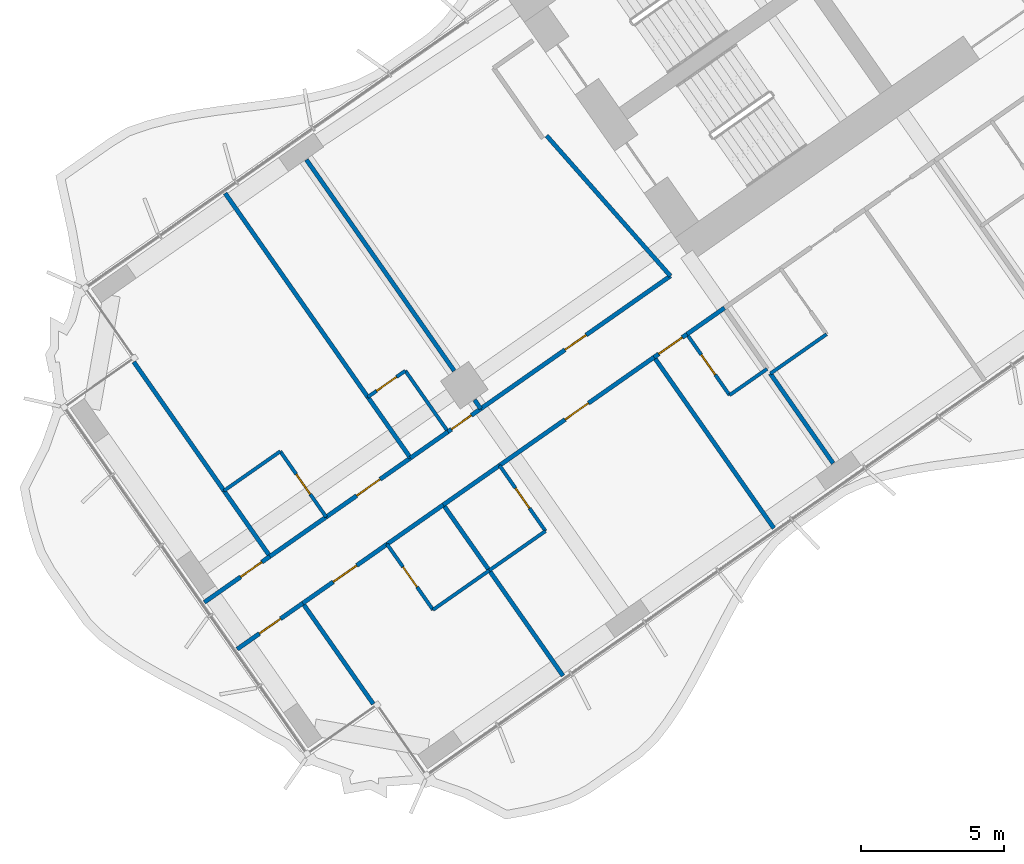
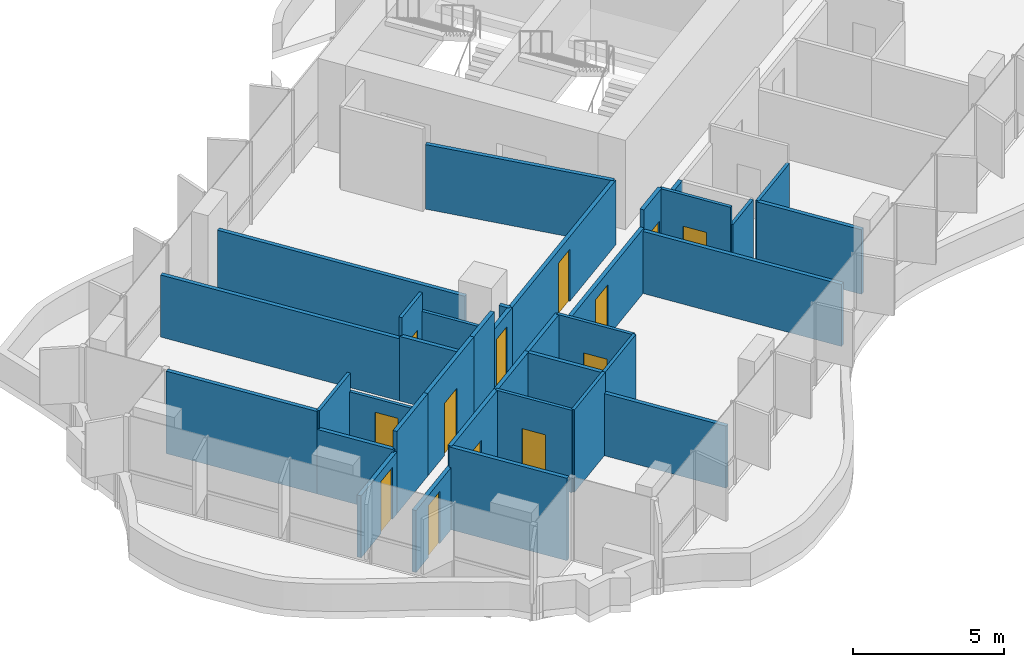
# One storey, part 13 of 24: 36 walls, 13 doors, 13 openings.
"""IFC4 building model written with IfcOpenShell, lengths in metres."""

import ifcopenshell
import ifcopenshell.guid

model = None  # the IFC model being written
_history = None  # IfcOwnerHistory: only IFC2X3 demands one
_inside = {}  # id of a spatial element -> (the spatial element, [elements in it])
_under = {}  # id of a project, library or spatial element -> (it, [spatial elements below it])
_declared = {}  # id of a project -> (the project, [libraries it declares])
_typed = {}  # id of a type object -> (the type object, [elements of that type])
_made_of = {}  # id of a material, layer set ... -> (it, [elements and type objects made of it])


def new_model(schema):
    """Start an empty IFC model of exactly this schema.

    Asked for "IFC4X3", IfcOpenShell would pick the latest addendum, in which some entities
    have other attributes; the version numbers below select the first issue.
    IFC2X3 requires an IfcOwnerHistory on every rooted entity: one is made here for all.
    """
    global model, _history
    if schema == "IFC4X3":
        model = ifcopenshell.file(schema_version=(4, 3, 0, 0))
    else:
        model = ifcopenshell.file(schema=schema)
    _inside.clear()
    _under.clear()
    _declared.clear()
    _typed.clear()
    _made_of.clear()
    _history = None
    if model.schema == "IFC2X3":
        org = make("IfcOrganization", Name="unknown")
        user = make(
            "IfcPersonAndOrganization",
            ThePerson=make("IfcPerson", FamilyName="unknown"),
            TheOrganization=org,
        )
        app = make(
            "IfcApplication",
            ApplicationDeveloper=org,
            Version="unknown",
            ApplicationFullName="unknown",
            ApplicationIdentifier="unknown",
        )
        _history = make(
            "IfcOwnerHistory",
            OwningUser=user,
            OwningApplication=app,
            ChangeAction="ADDED",
            CreationDate=0,
        )
    return model


def make(cls, **values):
    """One entity of the class cls with the attributes given. An attribute that is None is left unset."""
    return model.create_entity(
        cls, **{name: value for name, value in values.items() if value is not None}
    )


def rooted(cls, **values):
    """An entity with a GlobalId (a new one), such as an element, a storey or a relation."""
    return make(cls, GlobalId=ifcopenshell.guid.new(), OwnerHistory=_history, **values)


def si_unit(unit_type, name, prefix=None):
    """IfcSIUnit, for example si_unit("LENGTHUNIT", "METRE", prefix="MILLI")."""
    return make("IfcSIUnit", UnitType=unit_type, Prefix=prefix, Name=name)


def assignment(units):
    """IfcUnitAssignment: the units of a project."""
    return None if units is None else make("IfcUnitAssignment", Units=units)


def point(xyz):
    """IfcCartesianPoint."""
    return None if xyz is None else make("IfcCartesianPoint", Coordinates=xyz)


def direction(xyz):
    """IfcDirection."""
    return None if xyz is None else make("IfcDirection", DirectionRatios=xyz)


def frame(location, z_axis=None, x_axis=None):
    """IfcAxis2Placement3D, a coordinate frame: its origin and axes. An axis left out is left unset."""
    return make(
        "IfcAxis2Placement3D",
        Location=point(location),
        Axis=direction(z_axis),
        RefDirection=direction(x_axis),
    )


def frame_2d(location, x_axis=None):
    """IfcAxis2Placement2D, a coordinate frame in the plane: its origin and x axis."""
    return make(
        "IfcAxis2Placement2D", Location=point(location), RefDirection=direction(x_axis)
    )


def origin():
    """The frame at (0, 0, 0) with its axes left unset."""
    return frame((0.0, 0.0, 0.0))


def place(relative_to, where):
    """IfcLocalPlacement: puts the frame where relative to a parent placement (None: the world)."""
    return make(
        "IfcLocalPlacement", PlacementRelTo=relative_to, RelativePlacement=where
    )


def context(
    kind, dimensions, precision=None, world=None, true_north=None, identifier=None
):
    """IfcGeometricRepresentationContext, for example the 3D "Model" context."""
    return make(
        "IfcGeometricRepresentationContext",
        ContextIdentifier=identifier,
        ContextType=kind,
        CoordinateSpaceDimension=dimensions,
        Precision=precision,
        WorldCoordinateSystem=world,
        TrueNorth=true_north,
    )


def subcontext(parent, identifier, kind, view, scale=None):
    """IfcGeometricRepresentationSubContext, for example "Body" below "Model"."""
    return make(
        "IfcGeometricRepresentationSubContext",
        ContextIdentifier=identifier,
        ContextType=kind,
        ParentContext=parent,
        TargetScale=scale,
        TargetView=view,
    )


def project(units=None, contexts=None):
    """IfcProject with its units and contexts."""
    return rooted(
        "IfcProject",
        Name="project",
        RepresentationContexts=contexts,
        UnitsInContext=assignment(units),
    )


def spatial(cls, under=None, at=None, **own):
    """A site, building, storey or space (cls), placed at a placement, below another one or the project."""
    s = rooted(cls, ObjectPlacement=at, **own)
    if under is not None:
        _under.setdefault(under.id(), (under, []))[1].append(s)
    return s


def profile(cls, at=None, kind="AREA", **sizes):
    """A parametric profile (cls). Its sizes go by their IFC names, for example OverallWidth=200.0."""
    return make(cls, ProfileType=kind, Position=at, **sizes)


def rectangle(**sizes):
    """IfcRectangleProfileDef."""
    return profile("IfcRectangleProfileDef", **sizes)


def extrude(swept, where, along, depth):
    """IfcExtrudedAreaSolid: the profile swept, set in the frame where, extruded along a direction by depth."""
    return make(
        "IfcExtrudedAreaSolid",
        SweptArea=swept,
        Position=where,
        ExtrudedDirection=direction(along),
        Depth=depth,
    )


def shape(context_of_items, identifier, shape_type, items):
    """IfcShapeRepresentation: the items that make up one representation, for example the "Body"."""
    return make(
        "IfcShapeRepresentation",
        ContextOfItems=context_of_items,
        RepresentationIdentifier=identifier,
        RepresentationType=shape_type,
        Items=items,
    )


def material(Name=None, Category=None):
    """IfcMaterial."""
    return make("IfcMaterial", Name=Name, Category=Category)


def layer(
    of_material, thickness, ventilated=None, Name=None, Category=None, Priority=None
):
    """IfcMaterialLayer: one layer of a wall or slab, of a material (None: an air gap)."""
    return make(
        "IfcMaterialLayer",
        Material=of_material,
        LayerThickness=thickness,
        IsVentilated=ventilated,
        Name=Name,
        Category=Category,
        Priority=Priority,
    )


def layer_set(layers, Name=None):
    """IfcMaterialLayerSet."""
    return make("IfcMaterialLayerSet", MaterialLayers=layers, LayerSetName=Name)


def made_of(thing, what):
    """Note that an element or type object is made of a material, layer set ...; save() writes the relation."""
    if what is not None:
        _made_of.setdefault(what.id(), (what, []))[1].append(thing)
    return thing


def type_object(cls, material=None, **own):
    """A type object (cls), such as IfcWallType, which elements share."""
    return made_of(rooted(cls, **own), material)


def element(
    cls,
    number,
    at=None,
    inside=None,
    cuts=None,
    type_object=None,
    material=None,
    context=None,
    identifier="Body",
    shape_type=None,
    held_by="IfcProductDefinitionShape",
    body=None,
    shapes=None,
    **own,
):
    """One element of the class cls, such as IfcWall. Its Tag is "e" and its number.

    at: its placement. inside: the storey or other place that contains it. cuts: it is an
    opening in that element (IfcRelVoidsElement). A single representation is given by context,
    identifier, shape_type and body (its items); several are given by shapes. held_by: the class
    of the entity that holds the representations. save() writes the other relations.
    """
    e = rooted(cls, Tag="e%d" % number, ObjectPlacement=at, **own)
    if body is not None:
        shapes = [shape(context, identifier, shape_type, body)]
    if shapes is not None:
        e.Representation = make(held_by, Representations=shapes)
    if inside is not None:
        _inside.setdefault(inside.id(), (inside, []))[1].append(e)
    if cuts is not None:
        rooted(
            "IfcRelVoidsElement", RelatingBuildingElement=cuts, RelatedOpeningElement=e
        )
    if type_object is not None:
        _typed.setdefault(type_object.id(), (type_object, []))[1].append(e)
    return made_of(e, material)


def fill(opening, filler):
    """IfcRelFillsElement: the door or window that sits in an opening."""
    return rooted(
        "IfcRelFillsElement",
        RelatingOpeningElement=opening,
        RelatedBuildingElement=filler,
    )


def aggregate(whole, parts):
    """IfcRelAggregates: a whole, such as a stair, and the parts it consists of."""
    return rooted("IfcRelAggregates", RelatingObject=whole, RelatedObjects=parts)


def save(model, path):
    """Write the relations noted so far, then the file.

    IfcRelAggregates (storeys below a building ...), IfcRelContainedInSpatialStructure (elements
    in a storey), IfcRelDefinesByType, IfcRelAssociatesMaterial and IfcRelDeclares: one each for
    every whole, place, type object, material and project.
    """
    for whole, parts in _under.values():
        aggregate(whole, parts)
    for where, things in _inside.values():
        rooted(
            "IfcRelContainedInSpatialStructure",
            RelatedElements=things,
            RelatingStructure=where,
        )
    for kind, things in _typed.values():
        rooted("IfcRelDefinesByType", RelatedObjects=things, RelatingType=kind)
    for what, things in _made_of.values():
        rooted("IfcRelAssociatesMaterial", RelatedObjects=things, RelatingMaterial=what)
    for by, libraries in _declared.values():
        rooted("IfcRelDeclares", RelatingContext=by, RelatedDefinitions=libraries)
    model.write(path)


model = new_model("IFC4")

# Units and contexts
model_context = context("Model", 3, precision=1e-05, world=origin(), true_north=direction((0.0, 1.0)))
body_context = subcontext(model_context, "Body", "Model", "MODEL_VIEW")
ifc_project = project(units=[si_unit("LENGTHUNIT", "METRE"), si_unit("AREAUNIT", "SQUARE_METRE"), si_unit("VOLUMEUNIT", "CUBIC_METRE"), si_unit("PLANEANGLEUNIT", "RADIAN"), si_unit("MASSUNIT", "GRAM", prefix="KILO")], contexts=[model_context])

# Site, building, storey
site_placement = place(None, origin())
site = spatial("IfcSite", under=ifc_project, at=site_placement, CompositionType="ELEMENT")
building_placement = place(site_placement, origin())
building = spatial("IfcBuilding", under=site, at=building_placement, Name="Tel Ilan Convention Tower", CompositionType="ELEMENT")
storey_placement = place(building_placement, frame((0.0, 0.0, 68.89990234375)))
storey = spatial("IfcBuildingStorey", under=building, at=storey_placement, Name="L12", CompositionType="ELEMENT", Elevation=68.89990234375)

# Wall, opening, door
ifc_material_1 = material(Name="Plasterboard on Steel Studs", Category="steel")
ifc_layer_1 = layer(ifc_material_1, 0.14990234375)
ifc_layer_set_1 = layer_set([ifc_layer_1], Name="Fire-rated Partition 150 EI 60")
wall_type_1 = type_object("IfcWallType", Name="Fire-rated Partition 150 EI 60", PredefinedType="PARTITIONING", material=ifc_layer_set_1)
wall_1_placement = place(storey_placement, frame((-28.91748046875, -21.468994140625, 0.0), z_axis=(0.0, 0.0, 1.0), x_axis=(0.819152599934, 0.573575642807, 0.0)))
wall_1 = element("IfcWall", 1, at=wall_1_placement, inside=storey, type_object=wall_type_1, Name="Partition 022", PredefinedType="PARTITIONING", context=body_context, shape_type="SweptSolid", body=[
    extrude(rectangle(XDim=8.098388671875, YDim=0.14990234375, at=frame_2d((4.04931640625, 0.0))), origin(), (0.0, 0.0, 1.0), 2.60009765625),
])
opening_1_placement = place(wall_1_placement, frame((3.59912109375, 0.0, 0.0)))
opening_1 = element("IfcOpeningElement", 2, at=opening_1_placement, cuts=wall_1, Name="Opening L11-013", PredefinedType="OPENING", context=body_context, shape_type="SweptSolid", body=[
    extrude(rectangle(XDim=0.89990234375, YDim=2.10009765625, at=frame_2d((0.449951171875, 1.050048828125))), frame((0.0, 0.0849609375, 0.0), z_axis=(0.0, -1.0, 0.0), x_axis=(1.0, 0.0, 0.0)), (0.0, 0.0, 1.0), 0.169921875),
])
ifc_material_2 = material(Name="Timber Door Leaf in Steel Frame", Category="steel")
door_type_1 = type_object("IfcDoorType", Name="Room Fire Door 900x2100", OperationType="NOTDEFINED", PredefinedType="DOOR", material=ifc_material_2)
door_1_placement = place(opening_1_placement, origin())
door_1 = element("IfcDoor", 3, at=door_1_placement, inside=storey, type_object=door_type_1, Name="Door L11-013", OperationType="SINGLE_SWING_LEFT", OverallHeight=2.10009765625, OverallWidth=0.89990234375, PredefinedType="DOOR", context=body_context, shape_type="SweptSolid", body=[
    extrude(rectangle(XDim=0.89990234375, YDim=2.10009765625, at=frame_2d((0.449951171875, 1.050048828125))), frame((0.0, 0.02490234375, 0.0), z_axis=(0.0, -1.0, 0.0), x_axis=(1.0, 0.0, 0.0)), (0.0, 0.0, 1.0), 0.050048828125),
])
fill(opening_1, door_1)

wall_2_placement = place(storey_placement, frame((-28.914306640625, -21.466796875, 0.0), z_axis=(0.0, 0.0, 1.0), x_axis=(-0.81914197737, -0.573590813132, 0.0)))
wall_2 = element("IfcWall", 4, at=wall_2_placement, inside=storey, type_object=wall_type_1, Name="Partition 023", PredefinedType="PARTITIONING", context=body_context, shape_type="SweptSolid", body=[
    extrude(rectangle(XDim=1.40283203125, YDim=0.14990234375, at=frame_2d((0.701416015625, 0.0))), origin(), (0.0, 0.0, 1.0), 2.60009765625),
])
opening_2_placement = place(wall_2_placement, frame((0.403076171875, 0.0, 0.0)))
opening_2 = element("IfcOpeningElement", 5, at=opening_2_placement, cuts=wall_2, Name="Opening L11-015", PredefinedType="OPENING", context=body_context, shape_type="SweptSolid", body=[
    extrude(rectangle(XDim=0.85009765625, YDim=2.10009765625, at=frame_2d((0.425048828125, 1.050048828125))), frame((0.0, 0.0849609375, 0.0), z_axis=(0.0, -1.0, 0.0), x_axis=(1.0, 0.0, 0.0)), (0.0, 0.0, 1.0), 0.169921875),
])
ifc_material_3 = material(Name="Timber Door Leaf in Steel Frame", Category="steel")
door_type_2 = type_object("IfcDoorType", Name="Room Fire Door 850x2100", OperationType="NOTDEFINED", PredefinedType="DOOR", material=ifc_material_3)
door_2_placement = place(opening_2_placement, origin())
door_2 = element("IfcDoor", 6, at=door_2_placement, inside=storey, type_object=door_type_2, Name="Door L11-015", OperationType="SINGLE_SWING_LEFT", OverallHeight=2.10009765625, OverallWidth=0.85009765625, PredefinedType="DOOR", context=body_context, shape_type="SweptSolid", body=[
    extrude(rectangle(XDim=0.85009765625, YDim=2.10009765625, at=frame_2d((0.425048828125, 1.050048828125))), frame((0.0, 0.02490234375, 0.0), z_axis=(0.0, -1.0, 0.0), x_axis=(1.0, 0.0, 0.0)), (0.0, 0.0, 1.0), 0.050048828125),
])
fill(opening_2, door_2)

# Wall
wall_3_placement = place(storey_placement, frame((-31.375, -23.189697265625, 0.0), z_axis=(0.0, 0.0, 1.0), x_axis=(0.819189013667, 0.573523634986, 0.0)))
element("IfcWall", 7, at=wall_3_placement, inside=storey, type_object=wall_type_1, Name="Partition 024", PredefinedType="PARTITIONING", context=body_context, shape_type="SweptSolid", body=[
    extrude(rectangle(XDim=1.60400390625, YDim=0.14990234375, at=frame_2d((0.802001953125, 0.0))), origin(), (0.0, 0.0, 1.0), 3.320068359375),
])

# Wall, opening, door
wall_4_placement = place(storey_placement, frame((-34.322998046875, -25.254150390625, 0.0), z_axis=(0.0, 0.0, 1.0), x_axis=(0.819145961204, 0.573585123798, 0.0)))
wall_4 = element("IfcWall", 8, at=wall_4_placement, inside=storey, type_object=wall_type_1, Name="Partition 025", PredefinedType="PARTITIONING", context=body_context, shape_type="SweptSolid", body=[
    extrude(rectangle(XDim=3.60302734375, YDim=0.14990234375, at=frame_2d((1.801513671875, 0.0))), origin(), (0.0, 0.0, 1.0), 3.320068359375),
])
opening_3_placement = place(wall_4_placement, frame((1.301025390625, 0.0, 0.0)))
opening_3 = element("IfcOpeningElement", 9, at=opening_3_placement, cuts=wall_4, Name="Opening L11-017", PredefinedType="OPENING", context=body_context, shape_type="SweptSolid", body=[
    extrude(rectangle(XDim=1.0, YDim=2.10009765625, at=frame_2d((0.5, 1.050048828125))), frame((0.0, 0.0849609375, 0.0), z_axis=(0.0, -1.0, 0.0), x_axis=(1.0, 0.0, 0.0)), (0.0, 0.0, 1.0), 0.169921875),
])
ifc_material_4 = material(Name="Timber Door Leaf in Steel Frame", Category="steel")
door_type_3 = type_object("IfcDoorType", Name="Hotel Room Entrance Fire Door 1000x2100", OperationType="NOTDEFINED", PredefinedType="DOOR", material=ifc_material_4)
door_3_placement = place(opening_3_placement, origin())
door_3 = element("IfcDoor", 10, at=door_3_placement, inside=storey, type_object=door_type_3, Name="Door L11-017", OperationType="SINGLE_SWING_LEFT", OverallHeight=2.10009765625, OverallWidth=1.0, PredefinedType="DOOR", context=body_context, shape_type="SweptSolid", body=[
    extrude(rectangle(XDim=1.0, YDim=2.10009765625, at=frame_2d((0.5, 1.050048828125))), frame((0.0, 0.02490234375, 0.0), z_axis=(0.0, -1.0, 0.0), x_axis=(1.0, 0.0, 0.0)), (0.0, 0.0, 1.0), 0.050048828125),
])
fill(opening_3, door_3)

# Wall
wall_5_placement = place(storey_placement, frame((-36.289794921875, -26.631103515625, 0.0), z_axis=(0.0, 0.0, 1.0), x_axis=(0.819160338113, 0.573564591361, 0.0)))
element("IfcWall", 11, at=wall_5_placement, inside=storey, type_object=wall_type_1, Name="Partition 026", PredefinedType="PARTITIONING", context=body_context, shape_type="SweptSolid", body=[
    extrude(rectangle(XDim=2.403564453125, YDim=0.14990234375, at=frame_2d((1.20166015625, 0.0))), origin(), (0.0, 0.0, 1.0), 3.320068359375),
])

# Wall, opening, door
wall_6_placement = place(storey_placement, frame((-38.581787109375, -28.236083984375, 0.0), z_axis=(0.0, 0.0, 1.0), x_axis=(0.819137759006, 0.573596837309, 0.0)))
wall_6 = element("IfcWall", 12, at=wall_6_placement, inside=storey, type_object=wall_type_1, Name="Partition 027", PredefinedType="PARTITIONING", context=body_context, shape_type="SweptSolid", body=[
    extrude(rectangle(XDim=2.802001953125, YDim=0.14990234375, at=frame_2d((1.40087890625, 0.0))), origin(), (0.0, 0.0, 1.0), 2.5),
])
opening_4_placement = place(wall_6_placement, frame((1.551025390625, 0.0, 0.0)))
opening_4 = element("IfcOpeningElement", 13, at=opening_4_placement, cuts=wall_6, Name="Opening L11-018", PredefinedType="OPENING", context=body_context, shape_type="SweptSolid", body=[
    extrude(rectangle(XDim=0.89990234375, YDim=2.10009765625, at=frame_2d((0.449951171875, 1.050048828125))), frame((0.0, 0.0849609375, 0.0), z_axis=(0.0, -1.0, 0.0), x_axis=(1.0, 0.0, 0.0)), (0.0, 0.0, 1.0), 0.169921875),
])
door_4_placement = place(opening_4_placement, origin())
door_4 = element("IfcDoor", 14, at=door_4_placement, inside=storey, type_object=door_type_1, Name="Door L11-018", OperationType="SINGLE_SWING_RIGHT", OverallHeight=2.10009765625, OverallWidth=0.89990234375, PredefinedType="DOOR", context=body_context, shape_type="SweptSolid", body=[
    extrude(rectangle(XDim=0.89990234375, YDim=2.10009765625, at=frame_2d((0.449951171875, 1.050048828125))), frame((0.0, 0.02490234375, 0.0), z_axis=(0.0, -1.0, 0.0), x_axis=(1.0, 0.0, 0.0)), (0.0, 0.0, 1.0), 0.050048828125),
])
fill(opening_4, door_4)

wall_7_placement = place(storey_placement, frame((-21.706298828125, -18.861083984375, 0.0), z_axis=(0.0, 0.0, 1.0), x_axis=(-0.819060210533, -0.573707566205, 0.0)))
wall_7 = element("IfcWall", 15, at=wall_7_placement, inside=storey, type_object=wall_type_1, Name="Partition 033", PredefinedType="PARTITIONING", context=body_context, shape_type="SweptSolid", body=[
    extrude(rectangle(XDim=1.403076171875, YDim=0.14990234375, at=frame_2d((0.70166015625, 0.0))), origin(), (0.0, 0.0, 1.0), 3.320068359375),
])
opening_5_placement = place(wall_7_placement, frame((0.200927734375, 0.0, 0.0)))
opening_5 = element("IfcOpeningElement", 16, at=opening_5_placement, cuts=wall_7, Name="Opening L11-007", PredefinedType="OPENING", context=body_context, shape_type="SweptSolid", body=[
    extrude(rectangle(XDim=1.0, YDim=2.10009765625, at=frame_2d((0.5, 1.050048828125))), frame((0.0, 0.0849609375, 0.0), z_axis=(0.0, -1.0, 0.0), x_axis=(1.0, 0.0, 0.0)), (0.0, 0.0, 1.0), 0.169921875),
])
door_5_placement = place(opening_5_placement, origin())
door_5 = element("IfcDoor", 17, at=door_5_placement, inside=storey, type_object=door_type_3, Name="Door L11-007", OperationType="SINGLE_SWING_RIGHT", OverallHeight=2.10009765625, OverallWidth=1.0, PredefinedType="DOOR", context=body_context, shape_type="SweptSolid", body=[
    extrude(rectangle(XDim=1.0, YDim=2.10009765625, at=frame_2d((0.5, 1.050048828125))), frame((0.0, 0.02490234375, 0.0), z_axis=(0.0, -1.0, 0.0), x_axis=(1.0, 0.0, 0.0)), (0.0, 0.0, 1.0), 0.050048828125),
])
fill(opening_5, door_5)

# Wall
wall_8_placement = place(storey_placement, frame((-20.394775390625, -17.94287109375, 0.0), z_axis=(0.0, 0.0, 1.0), x_axis=(-0.819189013667, -0.573523634986, 0.0)))
element("IfcWall", 18, at=wall_8_placement, inside=storey, type_object=wall_type_1, Name="Partition 034", PredefinedType="PARTITIONING", context=body_context, shape_type="SweptSolid", body=[
    extrude(rectangle(XDim=1.60400390625, YDim=0.14990234375, at=frame_2d((0.802001953125, 0.0))), origin(), (0.0, 0.0, 1.0), 2.60009765625),
])

# Wall, opening, door
wall_9_placement = place(storey_placement, frame((-22.852294921875, -19.66357421875, 0.0), z_axis=(0.0, 0.0, 1.0), x_axis=(-0.819141582452, -0.573591377113, 0.0)))
wall_9 = element("IfcWall", 19, at=wall_9_placement, inside=storey, type_object=wall_type_1, Name="Partition 035", PredefinedType="PARTITIONING", context=body_context, shape_type="SweptSolid", body=[
    extrude(rectangle(XDim=6.602783203125, YDim=0.14990234375, at=frame_2d((3.30126953125, 0.0))), origin(), (0.0, 0.0, 1.0), 2.60009765625),
])
opening_6_placement = place(wall_9_placement, frame((2.802001953125, 0.0, 0.0)))
opening_6 = element("IfcOpeningElement", 20, at=opening_6_placement, cuts=wall_9, Name="Opening L11-009", PredefinedType="OPENING", context=body_context, shape_type="SweptSolid", body=[
    extrude(rectangle(XDim=1.0, YDim=2.10009765625, at=frame_2d((0.5, 1.050048828125))), frame((0.0, 0.0849609375, 0.0), z_axis=(0.0, -1.0, 0.0), x_axis=(1.0, 0.0, 0.0)), (0.0, 0.0, 1.0), 0.169921875),
])
door_6_placement = place(opening_6_placement, origin())
door_6 = element("IfcDoor", 21, at=door_6_placement, inside=storey, type_object=door_type_3, Name="Door L11-009", OperationType="SINGLE_SWING_RIGHT", OverallHeight=2.10009765625, OverallWidth=1.0, PredefinedType="DOOR", context=body_context, shape_type="SweptSolid", body=[
    extrude(rectangle(XDim=1.0, YDim=2.10009765625, at=frame_2d((0.5, 1.050048828125))), frame((0.0, 0.02490234375, 0.0), z_axis=(0.0, -1.0, 0.0), x_axis=(1.0, 0.0, 0.0)), (0.0, 0.0, 1.0), 0.050048828125),
])
fill(opening_6, door_6)

# Wall
wall_10_placement = place(storey_placement, frame((-28.258544921875, -23.44921875, 0.0), z_axis=(0.0, 0.0, 1.0), x_axis=(-0.819146032251, -0.573585022335, 0.0)))
element("IfcWall", 22, at=wall_10_placement, inside=storey, type_object=wall_type_1, Name="Partition 036", PredefinedType="PARTITIONING", context=body_context, shape_type="SweptSolid", body=[
    extrude(rectangle(XDim=2.404052734375, YDim=0.14990234375, at=frame_2d((1.2021484375, 0.0))), origin(), (0.0, 0.0, 1.0), 3.320068359375),
])

# Wall, opening, door
wall_11_placement = place(storey_placement, frame((-32.19140625, -26.202880859375, 0.0), z_axis=(0.0, 0.0, 1.0), x_axis=(-0.819145961204, -0.573585123798, 0.0)))
wall_11 = element("IfcWall", 23, at=wall_11_placement, inside=storey, type_object=wall_type_1, Name="Partition 037", PredefinedType="PARTITIONING", context=body_context, shape_type="SweptSolid", body=[
    extrude(rectangle(XDim=3.60302734375, YDim=0.14990234375, at=frame_2d((1.801513671875, 0.0))), origin(), (0.0, 0.0, 1.0), 3.320068359375),
])
opening_7_placement = place(wall_11_placement, frame((1.301025390625, 0.0, 0.0)))
opening_7 = element("IfcOpeningElement", 24, at=opening_7_placement, cuts=wall_11, Name="Opening L11-011", PredefinedType="OPENING", context=body_context, shape_type="SweptSolid", body=[
    extrude(rectangle(XDim=1.0, YDim=2.10009765625, at=frame_2d((0.5, 1.050048828125))), frame((0.0, 0.0849609375, 0.0), z_axis=(0.0, -1.0, 0.0), x_axis=(1.0, 0.0, 0.0)), (0.0, 0.0, 1.0), 0.169921875),
])
door_7_placement = place(opening_7_placement, origin())
door_7 = element("IfcDoor", 25, at=door_7_placement, inside=storey, type_object=door_type_3, Name="Door L11-011", OperationType="SINGLE_SWING_LEFT", OverallHeight=2.10009765625, OverallWidth=1.0, PredefinedType="DOOR", context=body_context, shape_type="SweptSolid", body=[
    extrude(rectangle(XDim=1.0, YDim=2.10009765625, at=frame_2d((0.5, 1.050048828125))), frame((0.0, 0.02490234375, 0.0), z_axis=(0.0, -1.0, 0.0), x_axis=(1.0, 0.0, 0.0)), (0.0, 0.0, 1.0), 0.050048828125),
])
fill(opening_7, door_7)

# Wall
wall_12_placement = place(storey_placement, frame((-30.224609375, -24.82568359375, 0.0), z_axis=(0.0, 0.0, 1.0), x_axis=(-0.819146032251, -0.573585022335, 0.0)))
element("IfcWall", 26, at=wall_12_placement, inside=storey, type_object=wall_type_1, Name="Partition 038", PredefinedType="PARTITIONING", context=body_context, shape_type="SweptSolid", body=[
    extrude(rectangle(XDim=2.404052734375, YDim=0.14990234375, at=frame_2d((1.2021484375, 0.0))), origin(), (0.0, 0.0, 1.0), 3.320068359375),
])

# Wall, opening, door
wall_13_placement = place(storey_placement, frame((-35.139404296875, -28.26708984375, 0.0), z_axis=(0.0, 0.0, 1.0), x_axis=(-0.819125488359, -0.573614360281, 0.0)))
wall_13 = element("IfcWall", 27, at=wall_13_placement, inside=storey, type_object=wall_type_1, Name="Partition 039", PredefinedType="PARTITIONING", context=body_context, shape_type="SweptSolid", body=[
    extrude(rectangle(XDim=2.80224609375, YDim=0.14990234375, at=frame_2d((1.401123046875, 0.0))), origin(), (0.0, 0.0, 1.0), 2.5),
])
opening_8_placement = place(wall_13_placement, frame((0.950927734375, 0.0, 0.0)))
opening_8 = element("IfcOpeningElement", 28, at=opening_8_placement, cuts=wall_13, Name="Opening L11-012", PredefinedType="OPENING", context=body_context, shape_type="SweptSolid", body=[
    extrude(rectangle(XDim=0.89990234375, YDim=2.10009765625, at=frame_2d((0.449951171875, 1.050048828125))), frame((0.0, 0.0849609375, 0.0), z_axis=(0.0, -1.0, 0.0), x_axis=(1.0, 0.0, 0.0)), (0.0, 0.0, 1.0), 0.169921875),
])
door_8_placement = place(opening_8_placement, origin())
door_8 = element("IfcDoor", 29, at=door_8_placement, inside=storey, type_object=door_type_1, Name="Door L11-012", OperationType="SINGLE_SWING_RIGHT", OverallHeight=2.10009765625, OverallWidth=0.89990234375, PredefinedType="DOOR", context=body_context, shape_type="SweptSolid", body=[
    extrude(rectangle(XDim=0.89990234375, YDim=2.10009765625, at=frame_2d((0.449951171875, 1.050048828125))), frame((0.0, 0.02490234375, 0.0), z_axis=(0.0, -1.0, 0.0), x_axis=(1.0, 0.0, 0.0)), (0.0, 0.0, 1.0), 0.050048828125),
])
fill(opening_8, door_8)

# Walls
wall_14_placement = place(storey_placement, frame((-22.2841796875, -16.82666015625, 0.0), z_axis=(0.0, 0.0, 1.0), x_axis=(-0.661545117561, 0.749905365651, 0.0)))
element("IfcWall", 30, at=wall_14_placement, inside=storey, type_object=wall_type_1, Name="Partition 081", PredefinedType="PARTITIONING", context=body_context, shape_type="SweptSolid", body=[
    extrude(rectangle(XDim=6.542724609375, YDim=0.14990234375, at=frame_2d((3.271484375, 0.0))), origin(), (0.0, 0.0, 1.0), 2.60009765625),
])
wall_15_placement = place(storey_placement, frame((-28.916015625, -21.468017578125, 0.0), z_axis=(0.0, 0.0, 1.0), x_axis=(-0.572944929411, 0.819593867633, 0.0)))
element("IfcWall", 31, at=wall_15_placement, inside=storey, type_object=wall_type_1, Name="Partition 082", PredefinedType="PARTITIONING", context=body_context, shape_type="SweptSolid", body=[
    extrude(rectangle(XDim=0.380126953125, YDim=0.14990234375, at=frame_2d((0.18994140625, 0.0))), origin(), (0.0, 0.0, 1.0), 2.60009765625),
])
wall_16_placement = place(storey_placement, frame((-29.84521484375, -20.140869140625, 0.0), z_axis=(0.0, 0.0, 1.0), x_axis=(-0.573558725113, 0.819164445546, 0.0)))
element("IfcWall", 32, at=wall_16_placement, inside=storey, type_object=wall_type_1, Name="Partition 083", PredefinedType="PARTITIONING", context=body_context, shape_type="SweptSolid", body=[
    extrude(rectangle(XDim=9.010009765625, YDim=0.14990234375, at=frame_2d((4.5048828125, 0.0))), origin(), (0.0, 0.0, 1.0), 2.60009765625),
])
wall_17_placement = place(storey_placement, frame((-32.865234375, -21.05810546875, 0.0), z_axis=(0.0, 0.0, 1.0), x_axis=(-0.573564051961, 0.819160715792, 0.0)))
element("IfcWall", 33, at=wall_17_placement, inside=storey, type_object=wall_type_1, Name="Partition 086", PredefinedType="PARTITIONING", context=body_context, shape_type="SweptSolid", body=[
    extrude(rectangle(XDim=8.69921875, YDim=0.14990234375, at=frame_2d((4.349609375, 0.0))), origin(), (0.0, 0.0, 1.0), 2.5),
])
wall_18_placement = place(storey_placement, frame((-31.373291015625, -23.188720703125, 0.0), z_axis=(0.0, 0.0, 1.0), x_axis=(-0.573600972199, 0.819134863556, 0.0)))
element("IfcWall", 34, at=wall_18_placement, inside=storey, type_object=wall_type_1, Name="Partition 087", PredefinedType="PARTITIONING", context=body_context, shape_type="SweptSolid", body=[
    extrude(rectangle(XDim=2.60009765625, YDim=0.14990234375, at=frame_2d((1.300048828125, 0.0))), origin(), (0.0, 0.0, 1.0), 2.60009765625),
])
wall_19_placement = place(storey_placement, frame((-37.89501953125, -24.335693359375, 0.0), z_axis=(0.0, 0.0, 1.0), x_axis=(-0.573530875885, 0.819183944183, 0.0)))
element("IfcWall", 35, at=wall_19_placement, inside=storey, type_object=wall_type_1, Name="Partition 090", PredefinedType="PARTITIONING", context=body_context, shape_type="SweptSolid", body=[
    extrude(rectangle(XDim=5.4990234375, YDim=0.14990234375, at=frame_2d((2.74951171875, 0.0))), origin(), (0.0, 0.0, 1.0), 3.320068359375),
])
wall_20_placement = place(storey_placement, frame((-36.288330078125, -26.630126953125, 0.0), z_axis=(0.0, 0.0, 1.0), x_axis=(-0.573550118428, 0.819170471667, 0.0)))
element("IfcWall", 36, at=wall_20_placement, inside=storey, type_object=wall_type_1, Name="Partition 091", PredefinedType="PARTITIONING", context=body_context, shape_type="SweptSolid", body=[
    extrude(rectangle(XDim=2.800048828125, YDim=0.14990234375, at=frame_2d((1.39990234375, 0.0))), origin(), (0.0, 0.0, 1.0), 2.60009765625),
])
wall_21_placement = place(storey_placement, frame((-16.593505859375, -23.375, 0.0), z_axis=(0.0, 0.0, 1.0), x_axis=(-0.573594994199, 0.819139049631, 0.0)))
element("IfcWall", 37, at=wall_21_placement, inside=storey, type_object=wall_type_1, Name="Partition 099", PredefinedType="PARTITIONING", context=body_context, shape_type="SweptSolid", body=[
    extrude(rectangle(XDim=3.8291015625, YDim=0.14990234375, at=frame_2d((1.91455078125, 0.0))), origin(), (0.0, 0.0, 1.0), 2.60009765625),
])
wall_22_placement = place(storey_placement, frame((-18.666748046875, -25.64453125, 0.0), z_axis=(0.0, 0.0, 1.0), x_axis=(-0.573572324301, 0.819154923562, 0.0)))
element("IfcWall", 38, at=wall_22_placement, inside=storey, type_object=wall_type_1, Name="Partition 103", PredefinedType="PARTITIONING", context=body_context, shape_type="SweptSolid", body=[
    extrude(rectangle(XDim=7.2998046875, YDim=0.14990234375, at=frame_2d((3.64990234375, 0.0))), origin(), (0.0, 0.0, 1.0), 2.5),
])
wall_23_placement = place(storey_placement, frame((-26.0390625, -30.806640625, 0.0), z_axis=(0.0, 0.0, 1.0), x_axis=(-0.573589807488, 0.819142681555, 0.0)))
element("IfcWall", 39, at=wall_23_placement, inside=storey, type_object=wall_type_1, Name="Partition 106", PredefinedType="PARTITIONING", context=body_context, shape_type="SweptSolid", body=[
    extrude(rectangle(XDim=4.4990234375, YDim=0.14990234375, at=frame_2d((2.24951171875, 0.0))), origin(), (0.0, 0.0, 1.0), 2.5),
])
wall_24_placement = place(storey_placement, frame((-28.6201171875, -27.12060546875, 0.0), z_axis=(0.0, 0.0, 1.0), x_axis=(-0.573608623498, 0.819129505664, 0.0)))
element("IfcWall", 40, at=wall_24_placement, inside=storey, type_object=wall_type_1, Name="Partition 107", PredefinedType="PARTITIONING", context=body_context, shape_type="SweptSolid", body=[
    extrude(rectangle(XDim=2.800048828125, YDim=0.14990234375, at=frame_2d((1.39990234375, 0.0))), origin(), (0.0, 0.0, 1.0), 3.320068359375),
])
wall_25_placement = place(storey_placement, frame((-32.6748046875, -31.790771484375, 0.0), z_axis=(0.0, 0.0, 1.0), x_axis=(-0.573553792486, 0.819167899227, 0.0)))
element("IfcWall", 41, at=wall_25_placement, inside=storey, type_object=wall_type_1, Name="Partition 110", PredefinedType="PARTITIONING", context=body_context, shape_type="SweptSolid", body=[
    extrude(rectangle(XDim=4.300048828125, YDim=0.14990234375, at=frame_2d((2.14990234375, 0.0))), origin(), (0.0, 0.0, 1.0), 3.320068359375),
])
ifc_material_5 = material(Name="Plasterboard on Steel Studs", Category="steel")
ifc_layer_2 = layer(ifc_material_5, 0.1201171875)
ifc_layer_set_2 = layer_set([ifc_layer_2], Name="Moisture-resistant Partition 120")
wall_type_2 = type_object("IfcWallType", Name="Moisture-resistant Partition 120", PredefinedType="PARTITIONING", material=ifc_layer_set_2)
wall_26_placement = place(storey_placement, frame((-30.06201171875, -22.270263671875, 0.0), z_axis=(0.0, 0.0, 1.0), x_axis=(-0.573537965655, 0.819178980414, 0.0)))
element("IfcWall", 42, at=wall_26_placement, inside=storey, type_object=wall_type_2, Name="Partition 084", PredefinedType="PARTITIONING", context=body_context, shape_type="SweptSolid", body=[
    extrude(rectangle(XDim=2.60009765625, YDim=0.1201171875, at=frame_2d((1.300048828125, 0.0))), origin(), (0.0, 0.0, 1.0), 2.60009765625),
])

# Wall, opening, door
wall_27_placement = place(storey_placement, frame((-31.5546875, -20.140380859375, 0.0), z_axis=(0.0, 0.0, 1.0), x_axis=(-0.819131543282, -0.57360571371, 0.0)))
wall_27 = element("IfcWall", 43, at=wall_27_placement, inside=storey, type_object=wall_type_2, Name="Partition 085", PredefinedType="PARTITIONING", context=body_context, shape_type="SweptSolid", body=[
    extrude(rectangle(XDim=1.599853515625, YDim=0.1201171875, at=frame_2d((0.7998046875, 0.0))), origin(), (0.0, 0.0, 1.0), 3.320068359375),
])
opening_9_placement = place(wall_27_placement, frame((0.375, 0.0, 0.0)))
opening_9 = element("IfcOpeningElement", 44, at=opening_9_placement, cuts=wall_27, Name="Opening L11-014", PredefinedType="OPENING", context=body_context, shape_type="SweptSolid", body=[
    extrude(rectangle(XDim=0.85009765625, YDim=2.050048828125, at=frame_2d((0.425048828125, 1.02490234375))), frame((0.0, 0.070068359375, 0.0), z_axis=(0.0, -1.0, 0.0), x_axis=(1.0, 0.0, 0.0)), (0.0, 0.0, 1.0), 0.14013671875),
])
ifc_material_6 = material(Name="Timber Door Leaf in Steel Frame", Category="steel")
door_type_4 = type_object("IfcDoorType", Name="Bathroom Timber Door 850x2050", OperationType="NOTDEFINED", PredefinedType="DOOR", material=ifc_material_6)
door_9_placement = place(opening_9_placement, origin())
door_9 = element("IfcDoor", 45, at=door_9_placement, inside=storey, type_object=door_type_4, Name="Door L11-014", OperationType="SINGLE_SWING_RIGHT", OverallHeight=2.050048828125, OverallWidth=0.85009765625, PredefinedType="DOOR", context=body_context, shape_type="SweptSolid", body=[
    extrude(rectangle(XDim=0.85009765625, YDim=2.050048828125, at=frame_2d((0.425048828125, 1.02490234375))), frame((0.0, 0.02490234375, 0.0), z_axis=(0.0, -1.0, 0.0), x_axis=(1.0, 0.0, 0.0)), (0.0, 0.0, 1.0), 0.050048828125),
])
fill(opening_9, door_9)

wall_28_placement = place(storey_placement, frame((-34.321533203125, -25.2529296875, 0.0), z_axis=(0.0, 0.0, 1.0), x_axis=(-0.573550118428, 0.819170471667, 0.0)))
wall_28 = element("IfcWall", 46, at=wall_28_placement, inside=storey, type_object=wall_type_2, Name="Partition 088", PredefinedType="PARTITIONING", context=body_context, shape_type="SweptSolid", body=[
    extrude(rectangle(XDim=2.800048828125, YDim=0.1201171875, at=frame_2d((1.39990234375, 0.0))), origin(), (0.0, 0.0, 1.0), 2.60009765625),
])
opening_10_placement = place(wall_28_placement, frame((0.97509765625, 0.0, 0.0)))
opening_10 = element("IfcOpeningElement", 47, at=opening_10_placement, cuts=wall_28, Name="Opening L11-016", PredefinedType="OPENING", context=body_context, shape_type="SweptSolid", body=[
    extrude(rectangle(XDim=0.85009765625, YDim=2.050048828125, at=frame_2d((0.425048828125, 1.02490234375))), frame((0.0, 0.070068359375, 0.0), z_axis=(0.0, -1.0, 0.0), x_axis=(1.0, 0.0, 0.0)), (0.0, 0.0, 1.0), 0.14013671875),
])
door_10_placement = place(opening_10_placement, origin())
door_10 = element("IfcDoor", 48, at=door_10_placement, inside=storey, type_object=door_type_4, Name="Door L11-016", OperationType="SINGLE_SWING_RIGHT", OverallHeight=2.050048828125, OverallWidth=0.85009765625, PredefinedType="DOOR", context=body_context, shape_type="SweptSolid", body=[
    extrude(rectangle(XDim=0.85009765625, YDim=2.050048828125, at=frame_2d((0.425048828125, 1.02490234375))), frame((0.0, 0.02490234375, 0.0), z_axis=(0.0, -1.0, 0.0), x_axis=(1.0, 0.0, 0.0)), (0.0, 0.0, 1.0), 0.050048828125),
])
fill(opening_10, door_10)

# Walls
wall_29_placement = place(storey_placement, frame((-35.928955078125, -22.958984375, 0.0), z_axis=(0.0, 0.0, 1.0), x_axis=(-0.819141114317, -0.573592045652, 0.0)))
element("IfcWall", 49, at=wall_29_placement, inside=storey, type_object=wall_type_2, Name="Partition 089", PredefinedType="PARTITIONING", context=body_context, shape_type="SweptSolid", body=[
    extrude(rectangle(XDim=2.400146484375, YDim=0.1201171875, at=frame_2d((1.2001953125, 0.0))), origin(), (0.0, 0.0, 1.0), 3.320068359375),
])
wall_30_placement = place(storey_placement, frame((-18.789794921875, -20.238525390625, 0.0), z_axis=(0.0, 0.0, 1.0), x_axis=(0.819141114317, 0.573592045652, 0.0)))
element("IfcWall", 50, at=wall_30_placement, inside=storey, type_object=wall_type_2, Name="Partition 097", PredefinedType="PARTITIONING", context=body_context, shape_type="SweptSolid", body=[
    extrude(rectangle(XDim=2.400146484375, YDim=0.1201171875, at=frame_2d((1.2001953125, 0.0))), origin(), (0.0, 0.0, 1.0), 2.60009765625),
])

# Wall, opening, door
wall_31_placement = place(storey_placement, frame((-21.707763671875, -18.8623046875, 0.0), z_axis=(0.0, 0.0, 1.0), x_axis=(0.573537965655, -0.819178980414, 0.0)))
wall_31 = element("IfcWall", 51, at=wall_31_placement, inside=storey, type_object=wall_type_2, Name="Partition 101", PredefinedType="PARTITIONING", context=body_context, shape_type="SweptSolid", body=[
    extrude(rectangle(XDim=2.60009765625, YDim=0.1201171875, at=frame_2d((1.300048828125, 0.0))), origin(), (0.0, 0.0, 1.0), 3.320068359375),
])
opening_11_placement = place(wall_31_placement, frame((0.875, 0.0, 0.0)))
opening_11 = element("IfcOpeningElement", 52, at=opening_11_placement, cuts=wall_31, Name="Opening L11-006", PredefinedType="OPENING", context=body_context, shape_type="SweptSolid", body=[
    extrude(rectangle(XDim=0.85009765625, YDim=2.050048828125, at=frame_2d((0.425048828125, 1.02490234375))), frame((0.0, 0.070068359375, 0.0), z_axis=(0.0, -1.0, 0.0), x_axis=(1.0, 0.0, 0.0)), (0.0, 0.0, 1.0), 0.14013671875),
])
door_11_placement = place(opening_11_placement, origin())
door_11 = element("IfcDoor", 53, at=door_11_placement, inside=storey, type_object=door_type_4, Name="Door L11-006", OperationType="SINGLE_SWING_LEFT", OverallHeight=2.050048828125, OverallWidth=0.85009765625, PredefinedType="DOOR", context=body_context, shape_type="SweptSolid", body=[
    extrude(rectangle(XDim=0.85009765625, YDim=2.050048828125, at=frame_2d((0.425048828125, 1.02490234375))), frame((0.0, 0.02490234375, 0.0), z_axis=(0.0, -1.0, 0.0), x_axis=(1.0, 0.0, 0.0)), (0.0, 0.0, 1.0), 0.050048828125),
])
fill(opening_11, door_11)

# Walls
wall_32_placement = place(storey_placement, frame((-20.215087890625, -20.992431640625, 0.0), z_axis=(0.0, 0.0, 1.0), x_axis=(0.819131543282, 0.57360571371, 0.0)))
element("IfcWall", 54, at=wall_32_placement, inside=storey, type_object=wall_type_2, Name="Partition 102", PredefinedType="PARTITIONING", context=body_context, shape_type="SweptSolid", body=[
    extrude(rectangle(XDim=1.599853515625, YDim=0.1201171875, at=frame_2d((0.7998046875, 0.0))), origin(), (0.0, 0.0, 1.0), 2.60009765625),
])
wall_33_placement = place(storey_placement, frame((-28.61962890625, -27.121337890625, 0.0), z_axis=(0.0, 0.0, 1.0), x_axis=(0.819188907105, 0.573523787192, 0.0)))
element("IfcWall", 55, at=wall_33_placement, inside=storey, type_object=wall_type_2, Name="Partition 104", PredefinedType="PARTITIONING", context=body_context, shape_type="SweptSolid", body=[
    extrude(rectangle(XDim=2.39990234375, YDim=0.1201171875, at=frame_2d((1.199951171875, 0.0))), origin(), (0.0, 0.0, 1.0), 3.320068359375),
])

# Wall, opening, door
wall_34_placement = place(storey_placement, frame((-26.6533203125, -25.743408203125, 0.0), z_axis=(0.0, 0.0, 1.0), x_axis=(-0.573608623498, 0.819129505664, 0.0)))
wall_34 = element("IfcWall", 56, at=wall_34_placement, inside=storey, type_object=wall_type_2, Name="Partition 105", PredefinedType="PARTITIONING", context=body_context, shape_type="SweptSolid", body=[
    extrude(rectangle(XDim=2.800048828125, YDim=0.1201171875, at=frame_2d((1.39990234375, 0.0))), origin(), (0.0, 0.0, 1.0), 3.320068359375),
])
opening_12_placement = place(wall_34_placement, frame((0.97509765625, 0.0, 0.0)))
opening_12 = element("IfcOpeningElement", 57, at=opening_12_placement, cuts=wall_34, Name="Opening L11-008", PredefinedType="OPENING", context=body_context, shape_type="SweptSolid", body=[
    extrude(rectangle(XDim=0.85009765625, YDim=2.050048828125, at=frame_2d((0.425048828125, 1.02490234375))), frame((0.0, 0.070068359375, 0.0), z_axis=(0.0, -1.0, 0.0), x_axis=(1.0, 0.0, 0.0)), (0.0, 0.0, 1.0), 0.14013671875),
])
door_12_placement = place(opening_12_placement, origin())
door_12 = element("IfcDoor", 58, at=door_12_placement, inside=storey, type_object=door_type_4, Name="Door L11-008", OperationType="SINGLE_SWING_RIGHT", OverallHeight=2.050048828125, OverallWidth=0.85009765625, PredefinedType="DOOR", context=body_context, shape_type="SweptSolid", body=[
    extrude(rectangle(XDim=0.85009765625, YDim=2.050048828125, at=frame_2d((0.425048828125, 1.02490234375))), frame((0.0, 0.02490234375, 0.0), z_axis=(0.0, -1.0, 0.0), x_axis=(1.0, 0.0, 0.0)), (0.0, 0.0, 1.0), 0.050048828125),
])
fill(opening_12, door_12)

wall_35_placement = place(storey_placement, frame((-32.193115234375, -26.2041015625, 0.0), z_axis=(0.0, 0.0, 1.0), x_axis=(0.573608623498, -0.819129505664, 0.0)))
wall_35 = element("IfcWall", 59, at=wall_35_placement, inside=storey, type_object=wall_type_2, Name="Partition 108", PredefinedType="PARTITIONING", context=body_context, shape_type="SweptSolid", body=[
    extrude(rectangle(XDim=2.800048828125, YDim=0.1201171875, at=frame_2d((1.39990234375, 0.0))), origin(), (0.0, 0.0, 1.0), 3.320068359375),
])
opening_13_placement = place(wall_35_placement, frame((0.97509765625, 0.0, 0.0)))
opening_13 = element("IfcOpeningElement", 60, at=opening_13_placement, cuts=wall_35, Name="Opening L11-010", PredefinedType="OPENING", context=body_context, shape_type="SweptSolid", body=[
    extrude(rectangle(XDim=0.85009765625, YDim=2.050048828125, at=frame_2d((0.425048828125, 1.02490234375))), frame((0.0, 0.070068359375, 0.0), z_axis=(0.0, -1.0, 0.0), x_axis=(1.0, 0.0, 0.0)), (0.0, 0.0, 1.0), 0.14013671875),
])
door_13_placement = place(opening_13_placement, origin())
door_13 = element("IfcDoor", 61, at=door_13_placement, inside=storey, type_object=door_type_4, Name="Door L11-010", OperationType="SINGLE_SWING_RIGHT", OverallHeight=2.050048828125, OverallWidth=0.85009765625, PredefinedType="DOOR", context=body_context, shape_type="SweptSolid", body=[
    extrude(rectangle(XDim=0.85009765625, YDim=2.050048828125, at=frame_2d((0.425048828125, 1.02490234375))), frame((0.0, 0.02490234375, 0.0), z_axis=(0.0, -1.0, 0.0), x_axis=(1.0, 0.0, 0.0)), (0.0, 0.0, 1.0), 0.050048828125),
])
fill(opening_13, door_13)

# Wall
wall_36_placement = place(storey_placement, frame((-30.585693359375, -28.498046875, 0.0), z_axis=(0.0, 0.0, 1.0), x_axis=(0.819141114317, 0.573592045652, 0.0)))
element("IfcWall", 62, at=wall_36_placement, inside=storey, type_object=wall_type_2, Name="Partition 109", PredefinedType="PARTITIONING", context=body_context, shape_type="SweptSolid", body=[
    extrude(rectangle(XDim=2.400146484375, YDim=0.1201171875, at=frame_2d((1.2001953125, 0.0))), origin(), (0.0, 0.0, 1.0), 3.320068359375),
])

save(model, "model.ifc")
